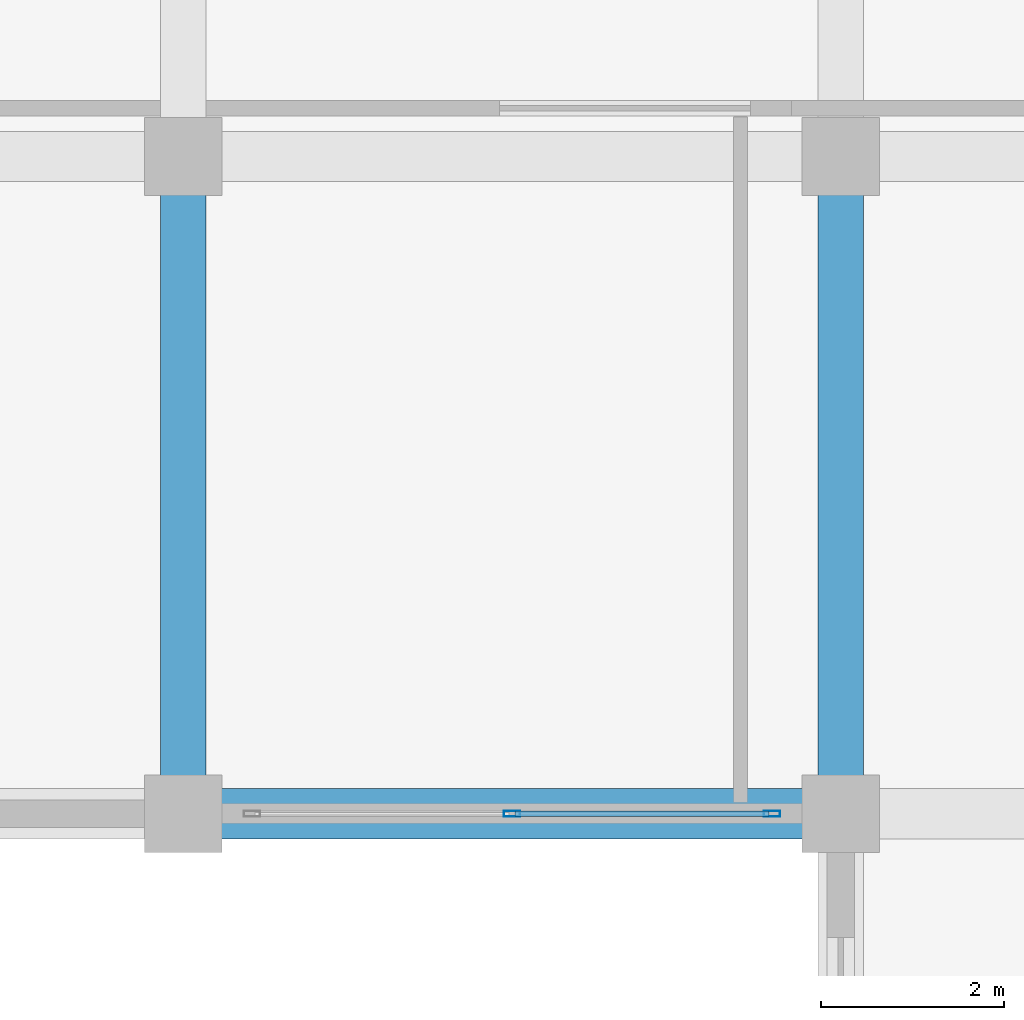
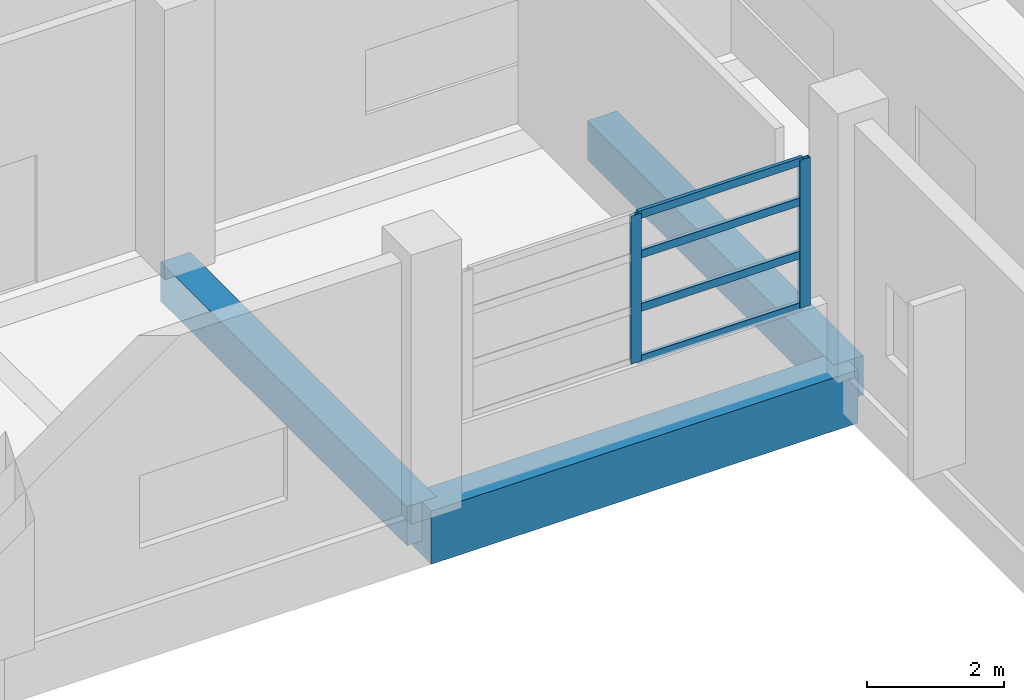
# One storey, part 86 of 181: 6 members, 3 beams, 1 element without a shape of its own.
"""IFC4 building model written with IfcOpenShell, lengths in metres."""

from ifc_helpers import new_model, si_unit, direction, frame, origin, origin_2d, place, context, subcontext, project, spatial, rectangle, hollow_rectangle, extrude, material, layer, layer_set, material_profile, profile_set, type_object, element, aggregate, save


model = new_model("IFC4")

# Units and contexts
model_context = context("Model", 3, precision=1e-05, world=origin(), true_north=direction((0.0, 1.0)))
body_context = subcontext(model_context, "Body", "Model", "MODEL_VIEW")
ifc_project = project(units=[si_unit("LENGTHUNIT", "METRE"), si_unit("AREAUNIT", "SQUARE_METRE"), si_unit("VOLUMEUNIT", "CUBIC_METRE"), si_unit("PLANEANGLEUNIT", "RADIAN"), si_unit("MASSUNIT", "GRAM", prefix="KILO")], contexts=[model_context])

# Site, building, storey
site_placement = place(None, origin())
site = spatial("IfcSite", under=ifc_project, at=site_placement, CompositionType="ELEMENT")
building_placement = place(site_placement, origin())
building = spatial("IfcBuilding", under=site, at=building_placement, Name="Seraya Terrace Polytechnic", CompositionType="ELEMENT")
storey_placement = place(building_placement, frame((0.0, 0.0, 4.800048828125)))
storey = spatial("IfcBuildingStorey", under=building, at=storey_placement, Name="L01", CompositionType="ELEMENT", Elevation=4.800048828125)

# Beams
ifc_material_1 = material(Name="Concrete C40/50", Category="concrete")
ifc_material_profile_1 = material_profile(ifc_material_1, rectangle(XDim=0.550048828125, YDim=0.949951171875, at=origin_2d()), Name="RC 550x950")
ifc_profile_set_1 = profile_set([ifc_material_profile_1], Name="Concrete C40/50")
beam_type_1 = type_object("IfcBeamType", Name="BM-03", PredefinedType="BEAM", material=ifc_profile_set_1)
beam_placement = place(storey_placement, frame((72.0, 64.800048828125, -0.47509765625), z_axis=(1.0, 0.0, 0.0), x_axis=(0.0, 1.0, 0.0)))
element("IfcBeam", 1, at=beam_placement, inside=storey, type_object=beam_type_1, Name="Beam BM-03 L01 X (72.0..79.2, 64.8)", PredefinedType="BEAM", context=body_context, shape_type="SweptSolid", body=[
    extrude(rectangle(XDim=0.550048828125, YDim=0.949951171875, at=origin_2d()), origin(), (0.0, 0.0, 1.0), 7.199951171875),
])
ifc_material_profile_2 = material_profile(ifc_material_1, rectangle(XDim=0.5, YDim=0.699951171875, at=origin_2d()), Name="RC 500x700")
ifc_profile_set_2 = profile_set([ifc_material_profile_2], Name="Concrete C40/50")
beam_type_2 = type_object("IfcBeamType", Name="BM-07", PredefinedType="BEAM", material=ifc_profile_set_2)
for number, where, z_axis, x_axis, name in (
    (2, (72.0, 64.800048828125, -0.35009765625), (0.0, 1.0, 0.0), (-1.0, 0.0, 0.0), "Beam BM-07 L01 Y (72.0, 64.8..72.0)"),
    (3, (79.199951171875, 64.800048828125, -0.35009765625), (0.0, 1.0, 0.0), (-1.0, 0.0, 0.0), "Beam BM-07 L01 Y (79.2, 64.8..72.0)"),
):
    element("IfcBeam", number, at=place(storey_placement, frame(where, z_axis=z_axis, x_axis=x_axis)), inside=storey, type_object=beam_type_2, Name=name, PredefinedType="BEAM", context=body_context, shape_type="SweptSolid", body=[
        extrude(rectangle(XDim=0.5, YDim=0.699951171875, at=origin_2d()), origin(), (0.0, 0.0, 1.0), 7.199951171875),
    ])

# Curtain wall, members
ifc_material_2 = material(Name="Anodised aluminium EN AW-6063 T6", Category="aluminium")
ifc_layer = layer(ifc_material_2, 0.179931640625, Name="CW-07")
ifc_layer_set = layer_set([ifc_layer], Name="Anodised aluminium EN AW-6063 T6")
curtain_wall_type = type_object("IfcCurtainWallType", Name="CW-07", PredefinedType="NOTDEFINED", material=ifc_layer_set)
curtain_wall_placement = place(storey_placement, origin())
curtain_wall = element("IfcCurtainWall", 4, at=curtain_wall_placement, inside=storey, type_object=curtain_wall_type, Name="Unitised curtain wall CW-07 (CW-L01-043)", PredefinedType="NOTDEFINED")
ifc_material_profile_3 = material_profile(ifc_material_2, hollow_rectangle(XDim=0.06494140625, YDim=0.179931640625, WallThickness=0.00390625, at=origin_2d()), Name="RHS 180x65x4.0")
ifc_profile_set_3 = profile_set([ifc_material_profile_3], Name="Anodised aluminium EN AW-6063 T6")
member_type_1 = type_object("IfcMemberType", Name="CWM-01", PredefinedType="MULLION", material=ifc_profile_set_3)
member_1_placement = place(storey_placement, frame((78.447509765625, 64.800048828125, 1.239990234375), z_axis=(0.0, 0.0, 1.0), x_axis=(0.0, -1.0, 0.0)))
member_1 = element("IfcMember", 5, at=member_1_placement, type_object=member_type_1, Name="CW-07 mullion 1", PredefinedType="MULLION", context=body_context, shape_type="SweptSolid", body=[
    extrude(hollow_rectangle(XDim=0.06494140625, YDim=0.179931640625, WallThickness=0.00390625, at=origin_2d()), origin(), (0.0, 0.0, 1.0), 2.639892578125),
])
member_2_placement = place(storey_placement, frame((75.60009765625, 64.800048828125, 1.239990234375), z_axis=(0.0, 0.0, 1.0), x_axis=(0.0, -1.0, 0.0)))
member_2 = element("IfcMember", 6, at=member_2_placement, type_object=member_type_1, Name="CW-07 mullion 2", PredefinedType="MULLION", context=body_context, shape_type="SweptSolid", body=[
    extrude(hollow_rectangle(XDim=0.06494140625, YDim=0.179931640625, WallThickness=0.00390625, at=origin_2d()), origin(), (0.0, 0.0, 1.0), 2.639892578125),
])
ifc_material_profile_4 = material_profile(ifc_material_2, hollow_rectangle(XDim=0.06005859375, YDim=0.139892578125, WallThickness=0.00341796875, at=origin_2d()), Name="RHS 140x60x3.5")
ifc_profile_set_4 = profile_set([ifc_material_profile_4], Name="Anodised aluminium EN AW-6063 T6")
member_type_2 = type_object("IfcMemberType", Name="CWT-01", PredefinedType="USERDEFINED", material=ifc_profile_set_4)
member_3_placement = place(storey_placement, frame((78.4150390625, 64.800048828125, 1.27001953125), z_axis=(-1.0, 0.0, 0.0), x_axis=(0.0, -1.0, 0.0)))
member_3 = element("IfcMember", 7, at=member_3_placement, type_object=member_type_2, Name="CW-07 transom 1.1", ObjectType="TRANSOM", PredefinedType="USERDEFINED", context=body_context, shape_type="SweptSolid", body=[
    extrude(hollow_rectangle(XDim=0.06005859375, YDim=0.139892578125, WallThickness=0.00341796875, at=origin_2d()), origin(), (0.0, 0.0, 1.0), 2.782470703125),
])
member_4_placement = place(storey_placement, frame((78.4150390625, 64.800048828125, 2.1904296875), z_axis=(-1.0, 0.0, 0.0), x_axis=(0.0, -1.0, 0.0)))
member_4 = element("IfcMember", 8, at=member_4_placement, type_object=member_type_2, Name="CW-07 transom 1.2", ObjectType="TRANSOM", PredefinedType="USERDEFINED", context=body_context, shape_type="SweptSolid", body=[
    extrude(hollow_rectangle(XDim=0.06005859375, YDim=0.139892578125, WallThickness=0.00341796875, at=origin_2d()), origin(), (0.0, 0.0, 1.0), 2.782470703125),
])
member_5_placement = place(storey_placement, frame((78.4150390625, 64.800048828125, 3.140869140625), z_axis=(-1.0, 0.0, 0.0), x_axis=(0.0, -1.0, 0.0)))
member_5 = element("IfcMember", 9, at=member_5_placement, type_object=member_type_2, Name="CW-07 transom 1.3", ObjectType="TRANSOM", PredefinedType="USERDEFINED", context=body_context, shape_type="SweptSolid", body=[
    extrude(hollow_rectangle(XDim=0.06005859375, YDim=0.139892578125, WallThickness=0.00341796875, at=origin_2d()), origin(), (0.0, 0.0, 1.0), 2.782470703125),
])
member_6_placement = place(storey_placement, frame((78.4150390625, 64.800048828125, 3.849853515625), z_axis=(-1.0, 0.0, 0.0), x_axis=(0.0, -1.0, 0.0)))
member_6 = element("IfcMember", 10, at=member_6_placement, type_object=member_type_2, Name="CW-07 transom 1.4", ObjectType="TRANSOM", PredefinedType="USERDEFINED", context=body_context, shape_type="SweptSolid", body=[
    extrude(hollow_rectangle(XDim=0.06005859375, YDim=0.139892578125, WallThickness=0.00341796875, at=origin_2d()), origin(), (0.0, 0.0, 1.0), 2.782470703125),
])
aggregate(curtain_wall, [member_1, member_2, member_3, member_4, member_5, member_6])

save(model, "model.ifc")
